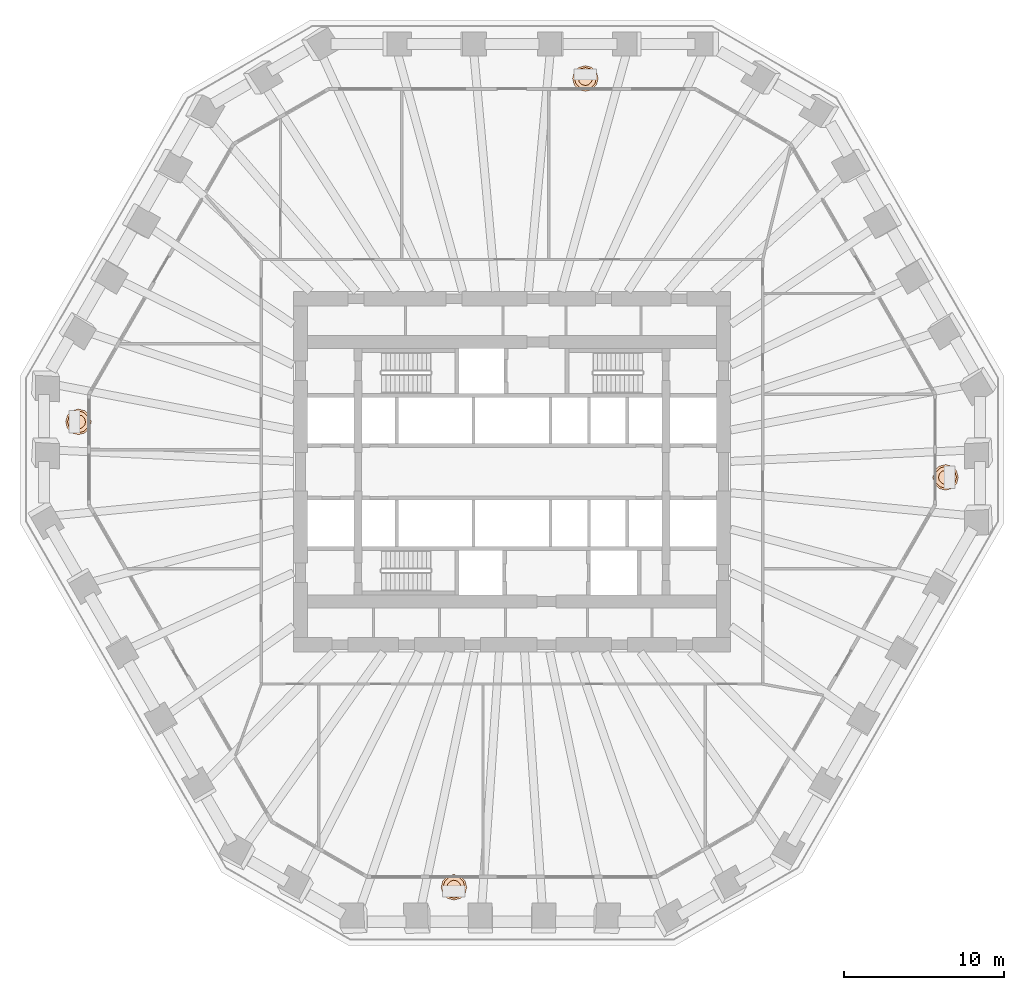
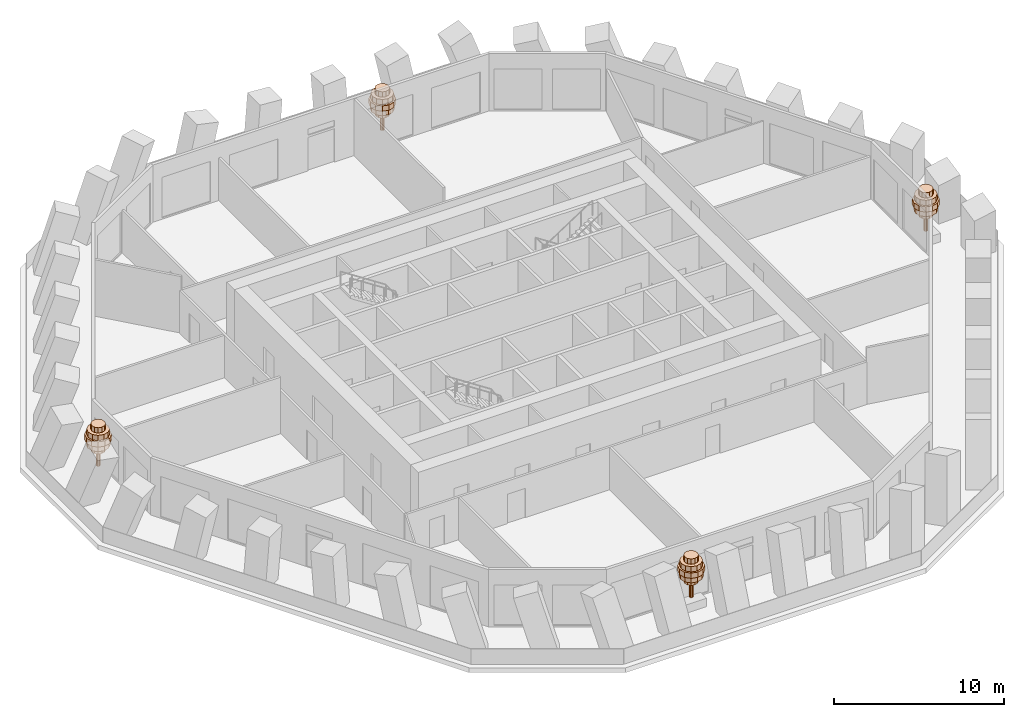
# One storey, part 11 of 11: 4 geographic elements.
"""IFC4 building model written with IfcOpenShell, lengths in metres."""

from ifc_helpers import new_model, si_unit, direction, frame, origin, place, context, subcontext, project, spatial, polyline, outline, extrude, material, type_object, element, save


model = new_model("IFC4")

# Units and contexts
model_context = context("Model", 3, precision=1e-05, world=origin(), true_north=direction((0.0, 1.0)))
body_context = subcontext(model_context, "Body", "Model", "MODEL_VIEW")
ifc_project = project(units=[si_unit("LENGTHUNIT", "METRE"), si_unit("AREAUNIT", "SQUARE_METRE"), si_unit("VOLUMEUNIT", "CUBIC_METRE"), si_unit("PLANEANGLEUNIT", "RADIAN"), si_unit("MASSUNIT", "GRAM", prefix="KILO")], contexts=[model_context])

# Site, building, storey
site_placement = place(None, origin())
site = spatial("IfcSite", under=ifc_project, at=site_placement, CompositionType="ELEMENT")
building_placement = place(site_placement, origin())
building = spatial("IfcBuilding", under=site, at=building_placement, Name="Frailejon Research Tower", CompositionType="ELEMENT")
storey_placement = place(building_placement, frame((0.0, 0.0, 67.39990234375)))
storey = spatial("IfcBuildingStorey", under=building, at=storey_placement, Name="L15", CompositionType="ELEMENT", Elevation=67.39990234375)

# Geographic elements
ifc_material = material(Name="Foliage, green")
geographic_element_type = type_object("IfcGeographicElementType", Name="Frailejon tree, loggia", PredefinedType="USERDEFINED", material=ifc_material)
geographic_element_1_placement = place(storey_placement, frame((27.06103515625, -0.349365234375, 0.60009765625)))
element("IfcGeographicElement", 1, at=geographic_element_1_placement, inside=storey, type_object=geographic_element_type, Name="Tree L15", ObjectType="TREE", PredefinedType="USERDEFINED", context=body_context, shape_type="SweptSolid", body=[
    extrude(outline(polyline([(0.1298828125, 0.0), (0.112548828125, 0.06494140625), (0.06494140625, 0.112548828125), (0.0, 0.1298828125), (-0.06494140625, 0.112548828125), (-0.112548828125, 0.06494140625), (-0.1298828125, 0.0), (-0.112548828125, -0.06494140625), (-0.06494140625, -0.112548828125), (0.0, -0.1298828125), (0.06494140625, -0.112548828125), (0.112548828125, -0.06494140625), (0.1298828125, 0.0)])), origin(), (0.0, 0.0, 1.0), 2.239990234375),
    extrude(outline(polyline([(0.43994140625, 0.0), (0.381103515625, 0.219970703125), (0.219970703125, 0.381103515625), (0.0, 0.43994140625), (-0.219970703125, 0.381103515625), (-0.381103515625, 0.219970703125), (-0.43994140625, 0.0), (-0.381103515625, -0.219970703125), (-0.219970703125, -0.381103515625), (0.0, -0.43994140625), (0.219970703125, -0.381103515625), (0.381103515625, -0.219970703125), (0.43994140625, 0.0)])), frame((0.0, 0.0, 1.10009765625)), (0.0, 0.0, 1.0), 0.3798828125),
    extrude(outline(polyline([(0.719970703125, 0.0), (0.62353515625, 0.360107421875), (0.360107421875, 0.62353515625), (0.0, 0.719970703125), (-0.360107421875, 0.62353515625), (-0.62353515625, 0.360107421875), (-0.719970703125, 0.0), (-0.62353515625, -0.360107421875), (-0.360107421875, -0.62353515625), (0.0, -0.719970703125), (0.360107421875, -0.62353515625), (0.62353515625, -0.360107421875), (0.719970703125, 0.0)])), frame((0.0, 0.0, 1.47998046875)), (0.0, 0.0, 1.0), 0.3798828125),
    extrude(outline(polyline([(0.800048828125, 0.0), (0.69287109375, 0.39990234375), (0.39990234375, 0.69287109375), (0.0, 0.800048828125), (-0.39990234375, 0.69287109375), (-0.69287109375, 0.39990234375), (-0.800048828125, 0.0), (-0.69287109375, -0.39990234375), (-0.39990234375, -0.69287109375), (0.0, -0.800048828125), (0.39990234375, -0.69287109375), (0.69287109375, -0.39990234375), (0.800048828125, 0.0)])), frame((0.0, 0.0, 1.860107421875)), (0.0, 0.0, 1.0), 0.3798828125),
    extrude(outline(polyline([(0.679931640625, 0.0), (0.5888671875, 0.340087890625), (0.340087890625, 0.5888671875), (0.0, 0.679931640625), (-0.340087890625, 0.5888671875), (-0.5888671875, 0.340087890625), (-0.679931640625, 0.0), (-0.5888671875, -0.340087890625), (-0.340087890625, -0.5888671875), (0.0, -0.679931640625), (0.340087890625, -0.5888671875), (0.5888671875, -0.340087890625), (0.679931640625, 0.0)])), frame((0.0, 0.0, 2.239990234375)), (0.0, 0.0, 1.0), 0.3798828125),
    extrude(outline(polyline([(0.43994140625, 0.0), (0.381103515625, 0.219970703125), (0.219970703125, 0.381103515625), (0.0, 0.43994140625), (-0.219970703125, 0.381103515625), (-0.381103515625, 0.219970703125), (-0.43994140625, 0.0), (-0.381103515625, -0.219970703125), (-0.219970703125, -0.381103515625), (0.0, -0.43994140625), (0.219970703125, -0.381103515625), (0.381103515625, -0.219970703125), (0.43994140625, 0.0)])), frame((0.0, 0.0, 2.6201171875)), (0.0, 0.0, 1.0), 0.3798828125),
])
geographic_element_2_placement = place(storey_placement, frame((4.581298828125, 24.550048828125, 0.60009765625)))
element("IfcGeographicElement", 2, at=geographic_element_2_placement, inside=storey, type_object=geographic_element_type, Name="Tree L15", ObjectType="TREE", PredefinedType="USERDEFINED", context=body_context, shape_type="SweptSolid", body=[
    extrude(outline(polyline([(0.1298828125, 0.0), (0.112548828125, 0.06494140625), (0.06494140625, 0.112548828125), (0.0, 0.1298828125), (-0.06494140625, 0.112548828125), (-0.112548828125, 0.06494140625), (-0.1298828125, 0.0), (-0.112548828125, -0.06494140625), (-0.06494140625, -0.112548828125), (0.0, -0.1298828125), (0.06494140625, -0.112548828125), (0.112548828125, -0.06494140625), (0.1298828125, 0.0)])), origin(), (0.0, 0.0, 1.0), 2.239990234375),
    extrude(outline(polyline([(0.43994140625, 0.0), (0.381103515625, 0.219970703125), (0.219970703125, 0.381103515625), (0.0, 0.43994140625), (-0.219970703125, 0.381103515625), (-0.381103515625, 0.219970703125), (-0.43994140625, 0.0), (-0.381103515625, -0.219970703125), (-0.219970703125, -0.381103515625), (0.0, -0.43994140625), (0.219970703125, -0.381103515625), (0.381103515625, -0.219970703125), (0.43994140625, 0.0)])), frame((0.0, 0.0, 1.10009765625)), (0.0, 0.0, 1.0), 0.3798828125),
    extrude(outline(polyline([(0.719970703125, 0.0), (0.62353515625, 0.360107421875), (0.360107421875, 0.62353515625), (0.0, 0.719970703125), (-0.360107421875, 0.62353515625), (-0.62353515625, 0.360107421875), (-0.719970703125, 0.0), (-0.62353515625, -0.360107421875), (-0.360107421875, -0.62353515625), (0.0, -0.719970703125), (0.360107421875, -0.62353515625), (0.62353515625, -0.360107421875), (0.719970703125, 0.0)])), frame((0.0, 0.0, 1.47998046875)), (0.0, 0.0, 1.0), 0.3798828125),
    extrude(outline(polyline([(0.800048828125, 0.0), (0.69287109375, 0.39990234375), (0.39990234375, 0.69287109375), (0.0, 0.800048828125), (-0.39990234375, 0.69287109375), (-0.69287109375, 0.39990234375), (-0.800048828125, 0.0), (-0.69287109375, -0.39990234375), (-0.39990234375, -0.69287109375), (0.0, -0.800048828125), (0.39990234375, -0.69287109375), (0.69287109375, -0.39990234375), (0.800048828125, 0.0)])), frame((0.0, 0.0, 1.860107421875)), (0.0, 0.0, 1.0), 0.3798828125),
    extrude(outline(polyline([(0.679931640625, 0.0), (0.5888671875, 0.340087890625), (0.340087890625, 0.5888671875), (0.0, 0.679931640625), (-0.340087890625, 0.5888671875), (-0.5888671875, 0.340087890625), (-0.679931640625, 0.0), (-0.5888671875, -0.340087890625), (-0.340087890625, -0.5888671875), (0.0, -0.679931640625), (0.340087890625, -0.5888671875), (0.5888671875, -0.340087890625), (0.679931640625, 0.0)])), frame((0.0, 0.0, 2.239990234375)), (0.0, 0.0, 1.0), 0.3798828125),
    extrude(outline(polyline([(0.43994140625, 0.0), (0.381103515625, 0.219970703125), (0.219970703125, 0.381103515625), (0.0, 0.43994140625), (-0.219970703125, 0.381103515625), (-0.381103515625, 0.219970703125), (-0.43994140625, 0.0), (-0.381103515625, -0.219970703125), (-0.219970703125, -0.381103515625), (0.0, -0.43994140625), (0.219970703125, -0.381103515625), (0.381103515625, -0.219970703125), (0.43994140625, 0.0)])), frame((0.0, 0.0, 2.6201171875)), (0.0, 0.0, 1.0), 0.3798828125),
])
geographic_element_3_placement = place(storey_placement, frame((-27.06103515625, 3.11474609375, 0.60009765625)))
element("IfcGeographicElement", 3, at=geographic_element_3_placement, inside=storey, type_object=geographic_element_type, Name="Tree L15", ObjectType="TREE", PredefinedType="USERDEFINED", context=body_context, shape_type="SweptSolid", body=[
    extrude(outline(polyline([(0.1298828125, 0.0), (0.112548828125, 0.06494140625), (0.06494140625, 0.112548828125), (0.0, 0.1298828125), (-0.06494140625, 0.112548828125), (-0.112548828125, 0.06494140625), (-0.1298828125, 0.0), (-0.112548828125, -0.06494140625), (-0.06494140625, -0.112548828125), (0.0, -0.1298828125), (0.06494140625, -0.112548828125), (0.112548828125, -0.06494140625), (0.1298828125, 0.0)])), origin(), (0.0, 0.0, 1.0), 2.239990234375),
    extrude(outline(polyline([(0.43994140625, 0.0), (0.381103515625, 0.219970703125), (0.219970703125, 0.381103515625), (0.0, 0.43994140625), (-0.219970703125, 0.381103515625), (-0.381103515625, 0.219970703125), (-0.43994140625, 0.0), (-0.381103515625, -0.219970703125), (-0.219970703125, -0.381103515625), (0.0, -0.43994140625), (0.219970703125, -0.381103515625), (0.381103515625, -0.219970703125), (0.43994140625, 0.0)])), frame((0.0, 0.0, 1.10009765625)), (0.0, 0.0, 1.0), 0.3798828125),
    extrude(outline(polyline([(0.719970703125, 0.0), (0.62353515625, 0.360107421875), (0.360107421875, 0.62353515625), (0.0, 0.719970703125), (-0.360107421875, 0.62353515625), (-0.62353515625, 0.360107421875), (-0.719970703125, 0.0), (-0.62353515625, -0.360107421875), (-0.360107421875, -0.62353515625), (0.0, -0.719970703125), (0.360107421875, -0.62353515625), (0.62353515625, -0.360107421875), (0.719970703125, 0.0)])), frame((0.0, 0.0, 1.47998046875)), (0.0, 0.0, 1.0), 0.3798828125),
    extrude(outline(polyline([(0.800048828125, 0.0), (0.69287109375, 0.39990234375), (0.39990234375, 0.69287109375), (0.0, 0.800048828125), (-0.39990234375, 0.69287109375), (-0.69287109375, 0.39990234375), (-0.800048828125, 0.0), (-0.69287109375, -0.39990234375), (-0.39990234375, -0.69287109375), (0.0, -0.800048828125), (0.39990234375, -0.69287109375), (0.69287109375, -0.39990234375), (0.800048828125, 0.0)])), frame((0.0, 0.0, 1.860107421875)), (0.0, 0.0, 1.0), 0.3798828125),
    extrude(outline(polyline([(0.679931640625, 0.0), (0.5888671875, 0.340087890625), (0.340087890625, 0.5888671875), (0.0, 0.679931640625), (-0.340087890625, 0.5888671875), (-0.5888671875, 0.340087890625), (-0.679931640625, 0.0), (-0.5888671875, -0.340087890625), (-0.340087890625, -0.5888671875), (0.0, -0.679931640625), (0.340087890625, -0.5888671875), (0.5888671875, -0.340087890625), (0.679931640625, 0.0)])), frame((0.0, 0.0, 2.239990234375)), (0.0, 0.0, 1.0), 0.3798828125),
    extrude(outline(polyline([(0.43994140625, 0.0), (0.381103515625, 0.219970703125), (0.219970703125, 0.381103515625), (0.0, 0.43994140625), (-0.219970703125, 0.381103515625), (-0.381103515625, 0.219970703125), (-0.43994140625, 0.0), (-0.381103515625, -0.219970703125), (-0.219970703125, -0.381103515625), (0.0, -0.43994140625), (0.219970703125, -0.381103515625), (0.381103515625, -0.219970703125), (0.43994140625, 0.0)])), frame((0.0, 0.0, 2.6201171875)), (0.0, 0.0, 1.0), 0.3798828125),
])
geographic_element_4_placement = place(storey_placement, frame((-3.623291015625, -25.932861328125, 0.60009765625)))
element("IfcGeographicElement", 4, at=geographic_element_4_placement, inside=storey, type_object=geographic_element_type, Name="Tree L15", ObjectType="TREE", PredefinedType="USERDEFINED", context=body_context, shape_type="SweptSolid", body=[
    extrude(outline(polyline([(0.1298828125, 0.0), (0.112548828125, 0.06494140625), (0.06494140625, 0.112548828125), (0.0, 0.1298828125), (-0.06494140625, 0.112548828125), (-0.112548828125, 0.06494140625), (-0.1298828125, 0.0), (-0.112548828125, -0.06494140625), (-0.06494140625, -0.112548828125), (0.0, -0.1298828125), (0.06494140625, -0.112548828125), (0.112548828125, -0.06494140625), (0.1298828125, 0.0)])), origin(), (0.0, 0.0, 1.0), 2.239990234375),
    extrude(outline(polyline([(0.43994140625, 0.0), (0.381103515625, 0.219970703125), (0.219970703125, 0.381103515625), (0.0, 0.43994140625), (-0.219970703125, 0.381103515625), (-0.381103515625, 0.219970703125), (-0.43994140625, 0.0), (-0.381103515625, -0.219970703125), (-0.219970703125, -0.381103515625), (0.0, -0.43994140625), (0.219970703125, -0.381103515625), (0.381103515625, -0.219970703125), (0.43994140625, 0.0)])), frame((0.0, 0.0, 1.10009765625)), (0.0, 0.0, 1.0), 0.3798828125),
    extrude(outline(polyline([(0.719970703125, 0.0), (0.62353515625, 0.360107421875), (0.360107421875, 0.62353515625), (0.0, 0.719970703125), (-0.360107421875, 0.62353515625), (-0.62353515625, 0.360107421875), (-0.719970703125, 0.0), (-0.62353515625, -0.360107421875), (-0.360107421875, -0.62353515625), (0.0, -0.719970703125), (0.360107421875, -0.62353515625), (0.62353515625, -0.360107421875), (0.719970703125, 0.0)])), frame((0.0, 0.0, 1.47998046875)), (0.0, 0.0, 1.0), 0.3798828125),
    extrude(outline(polyline([(0.800048828125, 0.0), (0.69287109375, 0.39990234375), (0.39990234375, 0.69287109375), (0.0, 0.800048828125), (-0.39990234375, 0.69287109375), (-0.69287109375, 0.39990234375), (-0.800048828125, 0.0), (-0.69287109375, -0.39990234375), (-0.39990234375, -0.69287109375), (0.0, -0.800048828125), (0.39990234375, -0.69287109375), (0.69287109375, -0.39990234375), (0.800048828125, 0.0)])), frame((0.0, 0.0, 1.860107421875)), (0.0, 0.0, 1.0), 0.3798828125),
    extrude(outline(polyline([(0.679931640625, 0.0), (0.5888671875, 0.340087890625), (0.340087890625, 0.5888671875), (0.0, 0.679931640625), (-0.340087890625, 0.5888671875), (-0.5888671875, 0.340087890625), (-0.679931640625, 0.0), (-0.5888671875, -0.340087890625), (-0.340087890625, -0.5888671875), (0.0, -0.679931640625), (0.340087890625, -0.5888671875), (0.5888671875, -0.340087890625), (0.679931640625, 0.0)])), frame((0.0, 0.0, 2.239990234375)), (0.0, 0.0, 1.0), 0.3798828125),
    extrude(outline(polyline([(0.43994140625, 0.0), (0.381103515625, 0.219970703125), (0.219970703125, 0.381103515625), (0.0, 0.43994140625), (-0.219970703125, 0.381103515625), (-0.381103515625, 0.219970703125), (-0.43994140625, 0.0), (-0.381103515625, -0.219970703125), (-0.219970703125, -0.381103515625), (0.0, -0.43994140625), (0.219970703125, -0.381103515625), (0.381103515625, -0.219970703125), (0.43994140625, 0.0)])), frame((0.0, 0.0, 2.6201171875)), (0.0, 0.0, 1.0), 0.3798828125),
])

save(model, "model.ifc")
